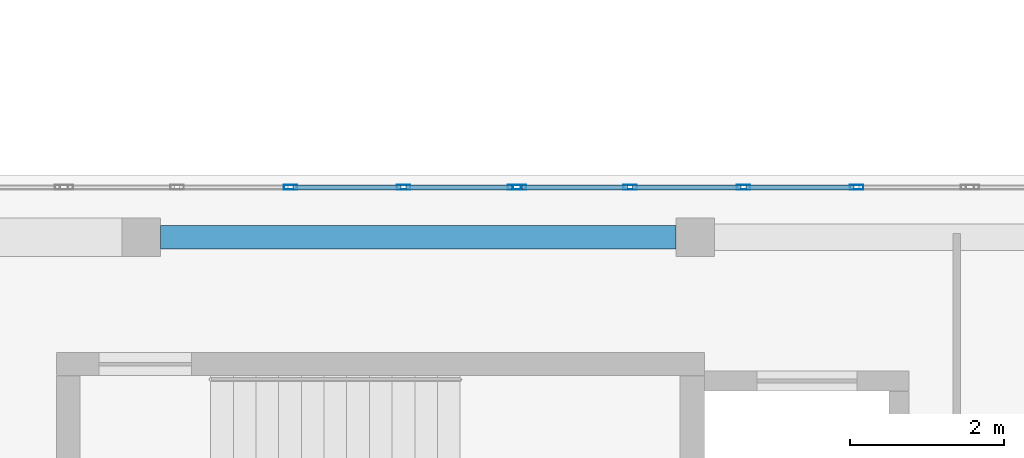
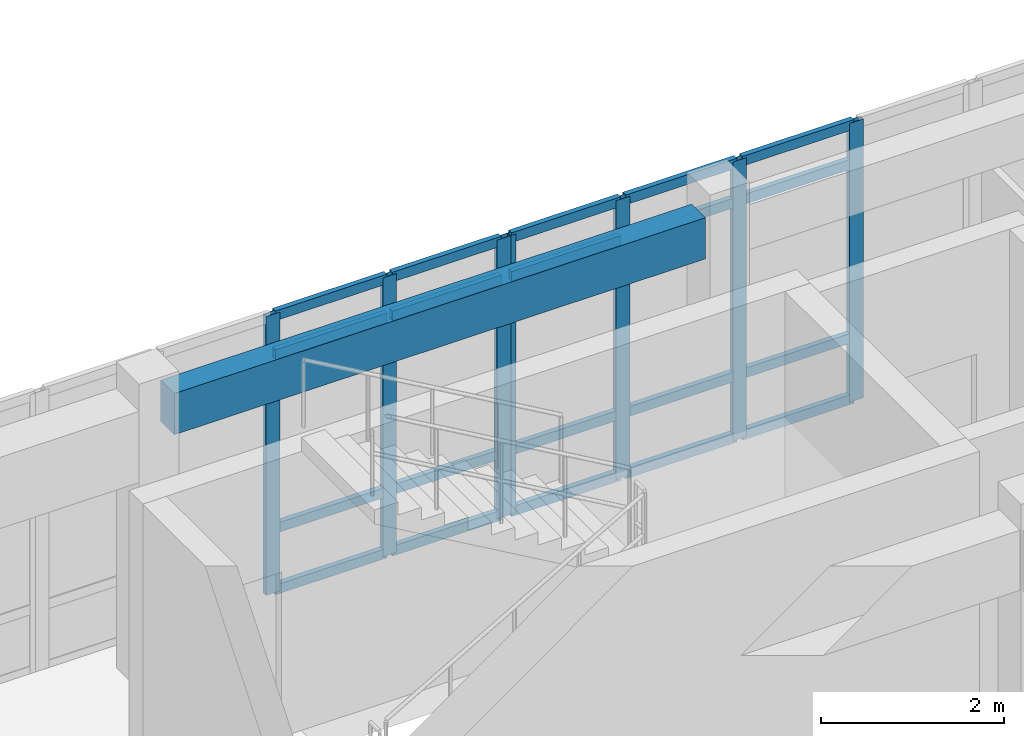
# One storey, part 28 of 91: 27 members, 1 beam, 2 elements without a shape of their own.
"""IFC4 building model written with IfcOpenShell, lengths in metres."""

from ifc_helpers import new_model, si_unit, direction, frame, origin, origin_2d, place, context, subcontext, project, spatial, rectangle, hollow_rectangle, extrude, material, layer, layer_set, material_profile, profile_set, type_object, element, aggregate, save


model = new_model("IFC4")

# Units and contexts
model_context = context("Model", 3, precision=1e-05, world=origin(), true_north=direction((0.0, 1.0)))
body_context = subcontext(model_context, "Body", "Model", "MODEL_VIEW")
ifc_project = project(units=[si_unit("LENGTHUNIT", "METRE"), si_unit("AREAUNIT", "SQUARE_METRE"), si_unit("VOLUMEUNIT", "CUBIC_METRE"), si_unit("PLANEANGLEUNIT", "RADIAN"), si_unit("MASSUNIT", "GRAM", prefix="KILO")], contexts=[model_context])

# Site, building, storey
site_placement = place(None, origin())
site = spatial("IfcSite", under=ifc_project, at=site_placement, CompositionType="ELEMENT")
building_placement = place(site_placement, origin())
building = spatial("IfcBuilding", under=site, at=building_placement, Name="Valcora Specialist Clinic", CompositionType="ELEMENT")
storey_placement = place(building_placement, frame((0.0, 0.0, 13.60009765625)))
storey = spatial("IfcBuildingStorey", under=building, at=storey_placement, Name="L03", CompositionType="ELEMENT", Elevation=13.60009765625)

# Beam
ifc_material_1 = material(Name="Concrete C40/50", Category="concrete")
ifc_material_profile_1 = material_profile(ifc_material_1, rectangle(XDim=0.300048828125, YDim=0.550048828125, at=origin_2d()), Name="RC-BM-300X550")
ifc_profile_set_1 = profile_set([ifc_material_profile_1], Name="Concrete C40/50")
beam_type = type_object("IfcBeamType", Name="TY-BM-RC300X550", PredefinedType="BEAM", material=ifc_profile_set_1)
beam_placement = place(storey_placement, frame((30.85009765625, 22.0, 3.44482421875), z_axis=(1.0, 0.0, 0.0), x_axis=(0.0, 1.0, 0.0)))
element("IfcBeam", 1, at=beam_placement, inside=storey, type_object=beam_type, Name="Beam BM-L03-1051", PredefinedType="BEAM", context=body_context, shape_type="SweptSolid", body=[
    extrude(rectangle(XDim=0.300048828125, YDim=0.550048828125, at=origin_2d()), origin(), (0.0, 0.0, 1.0), 6.699951171875),
])

# Curtain wall, members
ifc_material_2 = material(Name="Anodized Bronze Aluminium 6063-T6", Category="aluminium")
ifc_layer = layer(ifc_material_2, 0.175048828125)
ifc_layer_set = layer_set([ifc_layer], Name="Anodized Bronze Aluminium 6063-T6")
curtain_wall_type = type_object("IfcCurtainWallType", Name="TY-CW-V5F15", PredefinedType="NOTDEFINED", material=ifc_layer_set)
curtain_wall_1_placement = place(storey_placement, origin())
curtain_wall_1 = element("IfcCurtainWall", 2, at=curtain_wall_1_placement, inside=storey, type_object=curtain_wall_type, Name="Curtain wall CW-L03-160", PredefinedType="NOTDEFINED")
ifc_material_profile_2 = material_profile(ifc_material_2, hollow_rectangle(XDim=0.06494140625, YDim=0.175048828125, WallThickness=0.00390625, at=origin_2d()), Name="AL-MUL-65X175")
ifc_profile_set_2 = profile_set([ifc_material_profile_2], Name="Anodized Bronze Aluminium 6063-T6")
member_type_1 = type_object("IfcMemberType", Name="TY-CWM-65X175", PredefinedType="MULLION", material=ifc_profile_set_2)
member_1_placement = place(storey_placement, frame((32.538818359375, 22.64990234375, 0.0), z_axis=(0.0, 0.0, 1.0), x_axis=(0.0, 1.0, 0.0)))
member_1 = element("IfcMember", 3, at=member_1_placement, type_object=member_type_1, Name="CW-V5F-15 mullion 3", PredefinedType="MULLION", context=body_context, shape_type="SweptSolid", body=[
    extrude(hollow_rectangle(XDim=0.06494140625, YDim=0.175048828125, WallThickness=0.00390625, at=origin_2d()), origin(), (0.0, 0.0, 1.0), 3.719970703125),
])
member_2_placement = place(storey_placement, frame((34.010986328125, 22.64990234375, 0.0), z_axis=(0.0, 0.0, 1.0), x_axis=(0.0, 1.0, 0.0)))
member_2 = element("IfcMember", 4, at=member_2_placement, type_object=member_type_1, Name="CW-V5F-15 mullion 4", PredefinedType="MULLION", context=body_context, shape_type="SweptSolid", body=[
    extrude(hollow_rectangle(XDim=0.06494140625, YDim=0.175048828125, WallThickness=0.00390625, at=origin_2d()), origin(), (0.0, 0.0, 1.0), 3.719970703125),
])
member_3_placement = place(storey_placement, frame((35.45068359375, 22.64990234375, 0.0), z_axis=(0.0, 0.0, 1.0), x_axis=(0.0, 1.0, 0.0)))
member_3 = element("IfcMember", 5, at=member_3_placement, type_object=member_type_1, Name="CW-V5F-15 mullion 5", PredefinedType="MULLION", context=body_context, shape_type="SweptSolid", body=[
    extrude(hollow_rectangle(XDim=0.06494140625, YDim=0.175048828125, WallThickness=0.00390625, at=origin_2d()), origin(), (0.0, 0.0, 1.0), 3.719970703125),
])

curtain_wall_2_placement = place(storey_placement, origin())
curtain_wall_2 = element("IfcCurtainWall", 6, at=curtain_wall_2_placement, inside=storey, type_object=curtain_wall_type, Name="Curtain wall CW-L03-161", PredefinedType="NOTDEFINED")
member_4_placement = place(storey_placement, frame((35.515869140625, 22.64990234375, 0.0), z_axis=(0.0, 0.0, 1.0), x_axis=(0.0, 1.0, 0.0)))
member_4 = element("IfcMember", 7, at=member_4_placement, type_object=member_type_1, Name="CW-V5F-15 mullion 1", PredefinedType="MULLION", context=body_context, shape_type="SweptSolid", body=[
    extrude(hollow_rectangle(XDim=0.06494140625, YDim=0.175048828125, WallThickness=0.00390625, at=origin_2d()), origin(), (0.0, 0.0, 1.0), 3.719970703125),
])
member_5_placement = place(storey_placement, frame((36.95556640625, 22.64990234375, 0.0), z_axis=(0.0, 0.0, 1.0), x_axis=(0.0, 1.0, 0.0)))
member_5 = element("IfcMember", 8, at=member_5_placement, type_object=member_type_1, Name="CW-V5F-15 mullion 2", PredefinedType="MULLION", context=body_context, shape_type="SweptSolid", body=[
    extrude(hollow_rectangle(XDim=0.06494140625, YDim=0.175048828125, WallThickness=0.00390625, at=origin_2d()), origin(), (0.0, 0.0, 1.0), 3.719970703125),
])
member_6_placement = place(storey_placement, frame((38.427734375, 22.64990234375, 0.0), z_axis=(0.0, 0.0, 1.0), x_axis=(0.0, 1.0, 0.0)))
member_6 = element("IfcMember", 9, at=member_6_placement, type_object=member_type_1, Name="CW-V5F-15 mullion 3", PredefinedType="MULLION", context=body_context, shape_type="SweptSolid", body=[
    extrude(hollow_rectangle(XDim=0.06494140625, YDim=0.175048828125, WallThickness=0.00390625, at=origin_2d()), origin(), (0.0, 0.0, 1.0), 3.719970703125),
])
member_7_placement = place(storey_placement, frame((39.89990234375, 22.64990234375, 0.0), z_axis=(0.0, 0.0, 1.0), x_axis=(0.0, 1.0, 0.0)))
member_7 = element("IfcMember", 10, at=member_7_placement, type_object=member_type_1, Name="CW-V5F-15 mullion 4", PredefinedType="MULLION", context=body_context, shape_type="SweptSolid", body=[
    extrude(hollow_rectangle(XDim=0.06494140625, YDim=0.175048828125, WallThickness=0.00390625, at=origin_2d()), origin(), (0.0, 0.0, 1.0), 3.719970703125),
])

# Member
ifc_material_profile_3 = material_profile(ifc_material_2, hollow_rectangle(XDim=0.06494140625, YDim=0.1298828125, WallThickness=0.00390625, at=origin_2d()), Name="AL-TRN-65X130")
ifc_profile_set_3 = profile_set([ifc_material_profile_3], Name="Anodized Bronze Aluminium 6063-T6")
member_type_2 = type_object("IfcMemberType", Name="TY-CWT-65X130", PredefinedType="USERDEFINED", material=ifc_profile_set_3)
member_8_placement = place(storey_placement, frame((32.5712890625, 22.64990234375, 0.032470703125), z_axis=(1.0, 0.0, 0.0), x_axis=(0.0, 1.0, 0.0)))
member_8 = element("IfcMember", 11, at=member_8_placement, type_object=member_type_2, Name="CW-V5F-15 transom 3.1", ObjectType="TRANSOM", PredefinedType="USERDEFINED", context=body_context, shape_type="SweptSolid", body=[
    extrude(hollow_rectangle(XDim=0.06494140625, YDim=0.1298828125, WallThickness=0.00390625, at=origin_2d()), origin(), (0.0, 0.0, 1.0), 1.4072265625),
])

member_9_placement = place(storey_placement, frame((32.5712890625, 22.64990234375, 0.849853515625), z_axis=(1.0, 0.0, 0.0), x_axis=(0.0, 1.0, 0.0)))
member_9 = element("IfcMember", 12, at=member_9_placement, type_object=member_type_2, Name="CW-V5F-15 transom 3.2", ObjectType="TRANSOM", PredefinedType="USERDEFINED", context=body_context, shape_type="SweptSolid", body=[
    extrude(hollow_rectangle(XDim=0.06494140625, YDim=0.1298828125, WallThickness=0.00390625, at=origin_2d()), origin(), (0.0, 0.0, 1.0), 1.4072265625),
])

member_10_placement = place(storey_placement, frame((32.5712890625, 22.64990234375, 3.169921875), z_axis=(1.0, 0.0, 0.0), x_axis=(0.0, 1.0, 0.0)))
member_10 = element("IfcMember", 13, at=member_10_placement, type_object=member_type_2, Name="CW-V5F-15 transom 3.3", ObjectType="TRANSOM", PredefinedType="USERDEFINED", context=body_context, shape_type="SweptSolid", body=[
    extrude(hollow_rectangle(XDim=0.06494140625, YDim=0.1298828125, WallThickness=0.00390625, at=origin_2d()), origin(), (0.0, 0.0, 1.0), 1.4072265625),
])

member_11_placement = place(storey_placement, frame((32.5712890625, 22.64990234375, 3.6875), z_axis=(1.0, 0.0, 0.0), x_axis=(0.0, 1.0, 0.0)))
member_11 = element("IfcMember", 14, at=member_11_placement, type_object=member_type_2, Name="CW-V5F-15 transom 3.4", ObjectType="TRANSOM", PredefinedType="USERDEFINED", context=body_context, shape_type="SweptSolid", body=[
    extrude(hollow_rectangle(XDim=0.06494140625, YDim=0.1298828125, WallThickness=0.00390625, at=origin_2d()), origin(), (0.0, 0.0, 1.0), 1.4072265625),
])

member_12_placement = place(storey_placement, frame((34.04345703125, 22.64990234375, 0.032470703125), z_axis=(1.0, 0.0, 0.0), x_axis=(0.0, 1.0, 0.0)))
member_12 = element("IfcMember", 15, at=member_12_placement, type_object=member_type_2, Name="CW-V5F-15 transom 4.1", ObjectType="TRANSOM", PredefinedType="USERDEFINED", context=body_context, shape_type="SweptSolid", body=[
    extrude(hollow_rectangle(XDim=0.06494140625, YDim=0.1298828125, WallThickness=0.00390625, at=origin_2d()), origin(), (0.0, 0.0, 1.0), 1.374755859375),
])

member_13_placement = place(storey_placement, frame((34.04345703125, 22.64990234375, 0.849853515625), z_axis=(1.0, 0.0, 0.0), x_axis=(0.0, 1.0, 0.0)))
member_13 = element("IfcMember", 16, at=member_13_placement, type_object=member_type_2, Name="CW-V5F-15 transom 4.2", ObjectType="TRANSOM", PredefinedType="USERDEFINED", context=body_context, shape_type="SweptSolid", body=[
    extrude(hollow_rectangle(XDim=0.06494140625, YDim=0.1298828125, WallThickness=0.00390625, at=origin_2d()), origin(), (0.0, 0.0, 1.0), 1.374755859375),
])

member_14_placement = place(storey_placement, frame((34.04345703125, 22.64990234375, 3.169921875), z_axis=(1.0, 0.0, 0.0), x_axis=(0.0, 1.0, 0.0)))
member_14 = element("IfcMember", 17, at=member_14_placement, type_object=member_type_2, Name="CW-V5F-15 transom 4.3", ObjectType="TRANSOM", PredefinedType="USERDEFINED", context=body_context, shape_type="SweptSolid", body=[
    extrude(hollow_rectangle(XDim=0.06494140625, YDim=0.1298828125, WallThickness=0.00390625, at=origin_2d()), origin(), (0.0, 0.0, 1.0), 1.374755859375),
])

member_15_placement = place(storey_placement, frame((34.04345703125, 22.64990234375, 3.6875), z_axis=(1.0, 0.0, 0.0), x_axis=(0.0, 1.0, 0.0)))
member_15 = element("IfcMember", 18, at=member_15_placement, type_object=member_type_2, Name="CW-V5F-15 transom 4.4", ObjectType="TRANSOM", PredefinedType="USERDEFINED", context=body_context, shape_type="SweptSolid", body=[
    extrude(hollow_rectangle(XDim=0.06494140625, YDim=0.1298828125, WallThickness=0.00390625, at=origin_2d()), origin(), (0.0, 0.0, 1.0), 1.374755859375),
])

aggregate(curtain_wall_1, [member_1, member_2, member_3, member_8, member_9, member_10, member_11, member_12, member_13, member_14, member_15])

member_16_placement = place(storey_placement, frame((35.54833984375, 22.64990234375, 0.032470703125), z_axis=(1.0, 0.0, 0.0), x_axis=(0.0, 1.0, 0.0)))
member_16 = element("IfcMember", 19, at=member_16_placement, type_object=member_type_2, Name="CW-V5F-15 transom 1.1", ObjectType="TRANSOM", PredefinedType="USERDEFINED", context=body_context, shape_type="SweptSolid", body=[
    extrude(hollow_rectangle(XDim=0.06494140625, YDim=0.1298828125, WallThickness=0.00390625, at=origin_2d()), origin(), (0.0, 0.0, 1.0), 1.374755859375),
])

member_17_placement = place(storey_placement, frame((35.54833984375, 22.64990234375, 0.849853515625), z_axis=(1.0, 0.0, 0.0), x_axis=(0.0, 1.0, 0.0)))
member_17 = element("IfcMember", 20, at=member_17_placement, type_object=member_type_2, Name="CW-V5F-15 transom 1.2", ObjectType="TRANSOM", PredefinedType="USERDEFINED", context=body_context, shape_type="SweptSolid", body=[
    extrude(hollow_rectangle(XDim=0.06494140625, YDim=0.1298828125, WallThickness=0.00390625, at=origin_2d()), origin(), (0.0, 0.0, 1.0), 1.374755859375),
])

member_18_placement = place(storey_placement, frame((35.54833984375, 22.64990234375, 3.169921875), z_axis=(1.0, 0.0, 0.0), x_axis=(0.0, 1.0, 0.0)))
member_18 = element("IfcMember", 21, at=member_18_placement, type_object=member_type_2, Name="CW-V5F-15 transom 1.3", ObjectType="TRANSOM", PredefinedType="USERDEFINED", context=body_context, shape_type="SweptSolid", body=[
    extrude(hollow_rectangle(XDim=0.06494140625, YDim=0.1298828125, WallThickness=0.00390625, at=origin_2d()), origin(), (0.0, 0.0, 1.0), 1.374755859375),
])

member_19_placement = place(storey_placement, frame((35.54833984375, 22.64990234375, 3.6875), z_axis=(1.0, 0.0, 0.0), x_axis=(0.0, 1.0, 0.0)))
member_19 = element("IfcMember", 22, at=member_19_placement, type_object=member_type_2, Name="CW-V5F-15 transom 1.4", ObjectType="TRANSOM", PredefinedType="USERDEFINED", context=body_context, shape_type="SweptSolid", body=[
    extrude(hollow_rectangle(XDim=0.06494140625, YDim=0.1298828125, WallThickness=0.00390625, at=origin_2d()), origin(), (0.0, 0.0, 1.0), 1.374755859375),
])

member_20_placement = place(storey_placement, frame((36.988037109375, 22.64990234375, 0.032470703125), z_axis=(1.0, 0.0, 0.0), x_axis=(0.0, 1.0, 0.0)))
member_20 = element("IfcMember", 23, at=member_20_placement, type_object=member_type_2, Name="CW-V5F-15 transom 2.1", ObjectType="TRANSOM", PredefinedType="USERDEFINED", context=body_context, shape_type="SweptSolid", body=[
    extrude(hollow_rectangle(XDim=0.06494140625, YDim=0.1298828125, WallThickness=0.00390625, at=origin_2d()), origin(), (0.0, 0.0, 1.0), 1.4072265625),
])

member_21_placement = place(storey_placement, frame((36.988037109375, 22.64990234375, 0.849853515625), z_axis=(1.0, 0.0, 0.0), x_axis=(0.0, 1.0, 0.0)))
member_21 = element("IfcMember", 24, at=member_21_placement, type_object=member_type_2, Name="CW-V5F-15 transom 2.2", ObjectType="TRANSOM", PredefinedType="USERDEFINED", context=body_context, shape_type="SweptSolid", body=[
    extrude(hollow_rectangle(XDim=0.06494140625, YDim=0.1298828125, WallThickness=0.00390625, at=origin_2d()), origin(), (0.0, 0.0, 1.0), 1.4072265625),
])

member_22_placement = place(storey_placement, frame((36.988037109375, 22.64990234375, 3.169921875), z_axis=(1.0, 0.0, 0.0), x_axis=(0.0, 1.0, 0.0)))
member_22 = element("IfcMember", 25, at=member_22_placement, type_object=member_type_2, Name="CW-V5F-15 transom 2.3", ObjectType="TRANSOM", PredefinedType="USERDEFINED", context=body_context, shape_type="SweptSolid", body=[
    extrude(hollow_rectangle(XDim=0.06494140625, YDim=0.1298828125, WallThickness=0.00390625, at=origin_2d()), origin(), (0.0, 0.0, 1.0), 1.4072265625),
])

member_23_placement = place(storey_placement, frame((36.988037109375, 22.64990234375, 3.6875), z_axis=(1.0, 0.0, 0.0), x_axis=(0.0, 1.0, 0.0)))
member_23 = element("IfcMember", 26, at=member_23_placement, type_object=member_type_2, Name="CW-V5F-15 transom 2.4", ObjectType="TRANSOM", PredefinedType="USERDEFINED", context=body_context, shape_type="SweptSolid", body=[
    extrude(hollow_rectangle(XDim=0.06494140625, YDim=0.1298828125, WallThickness=0.00390625, at=origin_2d()), origin(), (0.0, 0.0, 1.0), 1.4072265625),
])

member_24_placement = place(storey_placement, frame((38.460205078125, 22.64990234375, 0.032470703125), z_axis=(1.0, 0.0, 0.0), x_axis=(0.0, 1.0, 0.0)))
member_24 = element("IfcMember", 27, at=member_24_placement, type_object=member_type_2, Name="CW-V5F-15 transom 3.1", ObjectType="TRANSOM", PredefinedType="USERDEFINED", context=body_context, shape_type="SweptSolid", body=[
    extrude(hollow_rectangle(XDim=0.06494140625, YDim=0.1298828125, WallThickness=0.00390625, at=origin_2d()), origin(), (0.0, 0.0, 1.0), 1.4072265625),
])

member_25_placement = place(storey_placement, frame((38.460205078125, 22.64990234375, 0.849853515625), z_axis=(1.0, 0.0, 0.0), x_axis=(0.0, 1.0, 0.0)))
member_25 = element("IfcMember", 28, at=member_25_placement, type_object=member_type_2, Name="CW-V5F-15 transom 3.2", ObjectType="TRANSOM", PredefinedType="USERDEFINED", context=body_context, shape_type="SweptSolid", body=[
    extrude(hollow_rectangle(XDim=0.06494140625, YDim=0.1298828125, WallThickness=0.00390625, at=origin_2d()), origin(), (0.0, 0.0, 1.0), 1.4072265625),
])

member_26_placement = place(storey_placement, frame((38.460205078125, 22.64990234375, 3.169921875), z_axis=(1.0, 0.0, 0.0), x_axis=(0.0, 1.0, 0.0)))
member_26 = element("IfcMember", 29, at=member_26_placement, type_object=member_type_2, Name="CW-V5F-15 transom 3.3", ObjectType="TRANSOM", PredefinedType="USERDEFINED", context=body_context, shape_type="SweptSolid", body=[
    extrude(hollow_rectangle(XDim=0.06494140625, YDim=0.1298828125, WallThickness=0.00390625, at=origin_2d()), origin(), (0.0, 0.0, 1.0), 1.4072265625),
])

member_27_placement = place(storey_placement, frame((38.460205078125, 22.64990234375, 3.6875), z_axis=(1.0, 0.0, 0.0), x_axis=(0.0, 1.0, 0.0)))
member_27 = element("IfcMember", 30, at=member_27_placement, type_object=member_type_2, Name="CW-V5F-15 transom 3.4", ObjectType="TRANSOM", PredefinedType="USERDEFINED", context=body_context, shape_type="SweptSolid", body=[
    extrude(hollow_rectangle(XDim=0.06494140625, YDim=0.1298828125, WallThickness=0.00390625, at=origin_2d()), origin(), (0.0, 0.0, 1.0), 1.4072265625),
])

aggregate(curtain_wall_2, [member_4, member_5, member_6, member_7, member_16, member_17, member_18, member_19, member_20, member_21, member_22, member_23, member_24, member_25, member_26, member_27])

save(model, "model.ifc")
